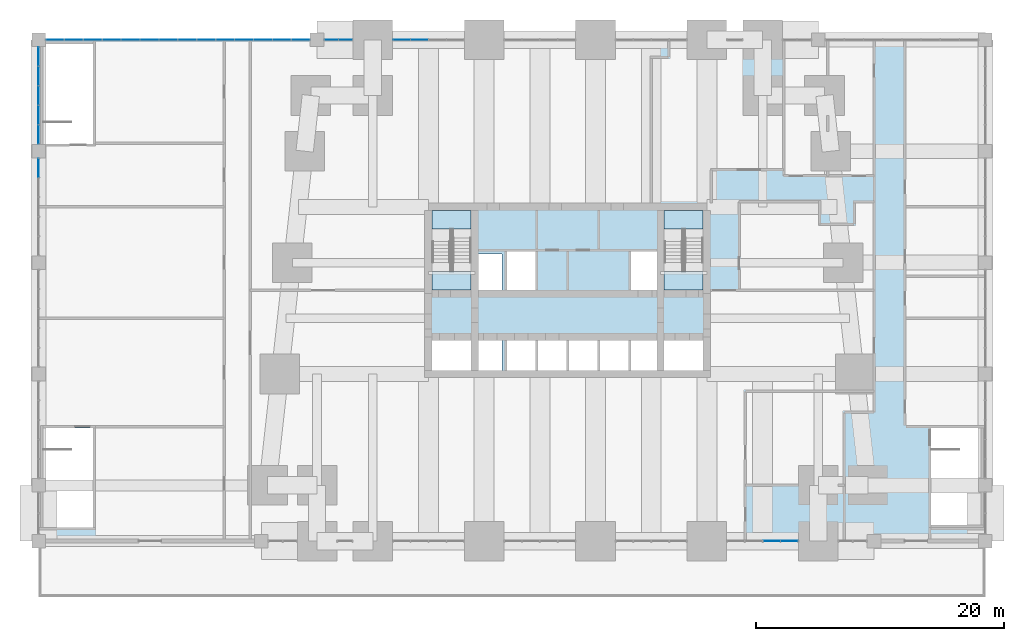
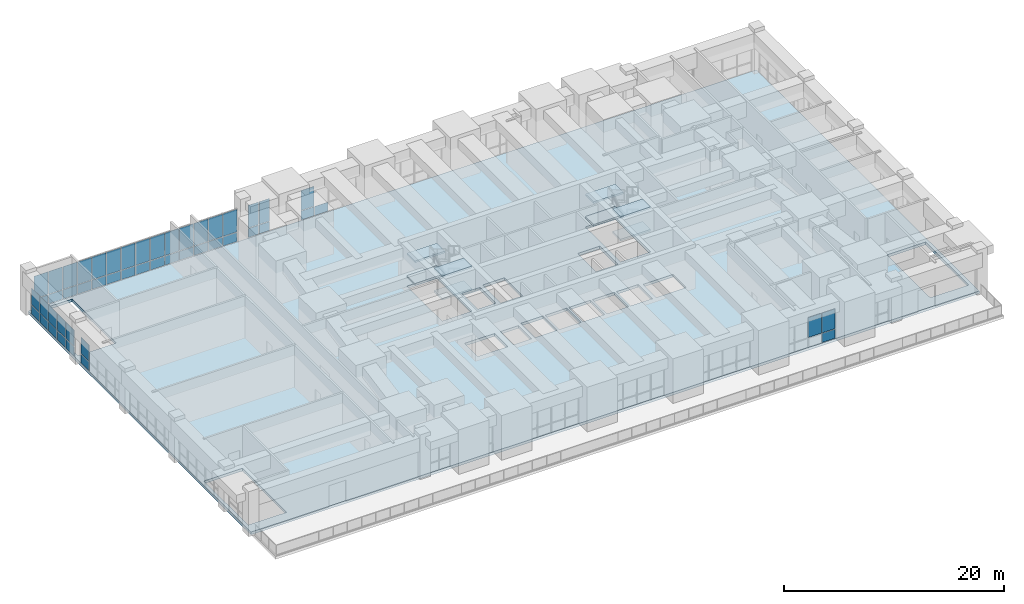
# One storey, part 15 of 22: 50 plates, 9 slabs, 8 elements without a shape of their own.
"""IFC4 building model written with IfcOpenShell, lengths in metres."""

from ifc_helpers import new_model, si_unit, direction, frame, origin, origin_2d, place, context, subcontext, project, spatial, polyline, rectangle, outline, extrude, material, layer, layer_set, type_object, element, aggregate, save


model = new_model("IFC4")

# Units and contexts
model_context = context("Model", 3, precision=1e-05, world=origin(), true_north=direction((0.0, 1.0)))
body_context = subcontext(model_context, "Body", "Model", "MODEL_VIEW")
ifc_project = project(units=[si_unit("LENGTHUNIT", "METRE"), si_unit("AREAUNIT", "SQUARE_METRE"), si_unit("VOLUMEUNIT", "CUBIC_METRE"), si_unit("PLANEANGLEUNIT", "RADIAN"), si_unit("MASSUNIT", "GRAM", prefix="KILO")], contexts=[model_context])

# Site, building, storey
site_placement = place(None, origin())
site = spatial("IfcSite", under=ifc_project, at=site_placement, CompositionType="ELEMENT")
building_placement = place(site_placement, origin())
building = spatial("IfcBuilding", under=site, at=building_placement, Name="Kilele Tower Hotel", CompositionType="ELEMENT")
storey_placement = place(building_placement, frame((0.0, 0.0, 19.0)))
storey = spatial("IfcBuildingStorey", under=building, at=storey_placement, Name="L03", CompositionType="ELEMENT", Elevation=19.0)

# Slab
ifc_material_1 = material(Name="Concrete C60/75", Category="concrete")
ifc_layer_1 = layer(ifc_material_1, 0.300048828125)
ifc_layer_set_1 = layer_set([ifc_layer_1], Name="Concrete C60/75")
slab_type_1 = type_object("IfcSlabType", Name="Floor slab 300", PredefinedType="FLOOR", material=ifc_layer_set_1)
slab_1_placement = place(storey_placement, frame((0.0, 0.0, -0.300048828125)))
element("IfcSlab", 1, at=slab_1_placement, inside=storey, type_object=slab_type_1, Name="Floor slab L03", PredefinedType="FLOOR", context=body_context, shape_type="SweptSolid", body=[
    extrude(outline(polyline([(-18.0, 0.0), (-18.0, 40.5), (58.5, 40.5), (58.5, 0.0), (-18.0, 0.0)]), holes=[polyline([(-13.60009765625, 1.10009765625), (-13.60009765625, 9.14990234375), (-17.64990234375, 9.14990234375), (-17.64990234375, 1.10009765625), (-13.60009765625, 1.10009765625)]), polyline([(16.949951171875, 13.800048828125), (16.949951171875, 16.199951171875), (13.800048828125, 16.199951171875), (13.800048828125, 13.800048828125), (16.949951171875, 13.800048828125)]), polyline([(19.449951171875, 13.800048828125), (19.449951171875, 16.199951171875), (17.550048828125, 16.199951171875), (17.550048828125, 13.800048828125), (19.449951171875, 13.800048828125)]), polyline([(22.14990234375, 13.800048828125), (22.14990234375, 16.39990234375), (19.85009765625, 16.39990234375), (19.85009765625, 13.800048828125), (22.14990234375, 13.800048828125)]), polyline([(19.449951171875, 20.300048828125), (19.449951171875, 23.199951171875), (17.550048828125, 23.199951171875), (17.550048828125, 20.300048828125), (19.449951171875, 20.300048828125)]), polyline([(22.14990234375, 20.10009765625), (22.14990234375, 23.39990234375), (19.85009765625, 23.39990234375), (19.85009765625, 20.10009765625), (22.14990234375, 20.10009765625)]), polyline([(16.949951171875, 20.300048828125), (16.949951171875, 26.699951171875), (13.800048828125, 26.699951171875), (13.800048828125, 20.300048828125), (16.949951171875, 20.300048828125)]), polyline([(-13.60009765625, 32.10009765625), (-13.60009765625, 40.14990234375), (-17.64990234375, 40.14990234375), (-17.64990234375, 32.10009765625), (-13.60009765625, 32.10009765625)]), polyline([(58.14990234375, 1.300048828125), (58.14990234375, 9.14990234375), (54.10009765625, 9.14990234375), (54.10009765625, 1.300048828125), (58.14990234375, 1.300048828125)]), polyline([(35.699951171875, 13.800048828125), (35.699951171875, 16.199951171875), (32.550048828125, 16.199951171875), (32.550048828125, 13.800048828125), (35.699951171875, 13.800048828125)]), polyline([(24.64990234375, 13.800048828125), (24.64990234375, 16.39990234375), (22.35009765625, 16.39990234375), (22.35009765625, 13.800048828125), (24.64990234375, 13.800048828125)]), polyline([(27.14990234375, 13.800048828125), (27.14990234375, 16.39990234375), (24.85009765625, 16.39990234375), (24.85009765625, 13.800048828125), (27.14990234375, 13.800048828125)]), polyline([(29.64990234375, 13.800048828125), (29.64990234375, 16.39990234375), (27.35009765625, 16.39990234375), (27.35009765625, 13.800048828125), (29.64990234375, 13.800048828125)]), polyline([(32.14990234375, 13.800048828125), (32.14990234375, 16.39990234375), (29.85009765625, 16.39990234375), (29.85009765625, 13.800048828125), (32.14990234375, 13.800048828125)]), polyline([(32.14990234375, 20.10009765625), (32.14990234375, 23.39990234375), (29.85009765625, 23.39990234375), (29.85009765625, 20.10009765625), (32.14990234375, 20.10009765625)]), polyline([(35.699951171875, 20.300048828125), (35.699951171875, 26.699951171875), (32.550048828125, 26.699951171875), (32.550048828125, 20.300048828125), (35.699951171875, 20.300048828125)])]), origin(), (0.0, 0.0, 1.0), 0.300048828125),
])

# Curtain wall, plates
ifc_material_2 = material(Name="Aluminium curtain wall, clear double glazing", Category="aluminium")
curtain_wall_type_1 = type_object("IfcCurtainWallType", Name="Podium curtain wall CW-1", PredefinedType="NOTDEFINED", material=ifc_material_2)
curtain_wall_1_placement = place(storey_placement, origin())
curtain_wall_1 = element("IfcCurtainWall", 2, at=curtain_wall_1_placement, inside=storey, type_object=curtain_wall_type_1, Name="Podium curtain wall CW-1 L03", PredefinedType="NOTDEFINED")
ifc_material_3 = material(Name="Clear double glazing", Category="glass")
ifc_layer_2 = layer(ifc_material_3, 0.028076171875)
ifc_layer_set_2 = layer_set([ifc_layer_2], Name="Clear double glazing")
plate_type_1 = type_object("IfcPlateType", Name="Glazed panel 28 CW-1", PredefinedType="CURTAIN_PANEL", material=ifc_layer_set_2)
plate_1_placement = place(storey_placement, frame((41.22509765625, 0.0, 1.130126953125), z_axis=(0.0, 0.0, 1.0), x_axis=(1.0, 0.0, 0.0)))
plate_1 = element("IfcPlate", 3, at=plate_1_placement, type_object=plate_type_1, Name="CW-1 panel 3.2", PredefinedType="CURTAIN_PANEL", context=body_context, shape_type="SweptSolid", body=[
    extrude(rectangle(XDim=1.389892578125, YDim=0.028076171875, at=origin_2d()), origin(), (0.0, 0.0, 1.0), 2.2099609375),
])
plate_2_placement = place(storey_placement, frame((42.659912109375, 0.0, 0.06005859375), z_axis=(0.0, 0.0, 1.0), x_axis=(1.0, 0.0, 0.0)))
plate_2 = element("IfcPlate", 4, at=plate_2_placement, type_object=plate_type_1, Name="CW-1 panel 4.1", PredefinedType="CURTAIN_PANEL", context=body_context, shape_type="SweptSolid", body=[
    extrude(rectangle(XDim=1.360107421875, YDim=0.028076171875, at=origin_2d()), origin(), (0.0, 0.0, 1.0), 1.010009765625),
])
plate_3_placement = place(storey_placement, frame((42.659912109375, 0.0, 1.130126953125), z_axis=(0.0, 0.0, 1.0), x_axis=(1.0, 0.0, 0.0)))
plate_3 = element("IfcPlate", 5, at=plate_3_placement, type_object=plate_type_1, Name="CW-1 panel 4.2", PredefinedType="CURTAIN_PANEL", context=body_context, shape_type="SweptSolid", body=[
    extrude(rectangle(XDim=1.360107421875, YDim=0.028076171875, at=origin_2d()), origin(), (0.0, 0.0, 1.0), 2.2099609375),
])
aggregate(curtain_wall_1, [plate_1, plate_2, plate_3])

curtain_wall_2_placement = place(storey_placement, origin())
curtain_wall_2 = element("IfcCurtainWall", 6, at=curtain_wall_2_placement, inside=storey, type_object=curtain_wall_type_1, Name="Podium curtain wall CW-1 L03", PredefinedType="NOTDEFINED")
plate_4_placement = place(storey_placement, frame((12.77490234375, 40.5, 0.06005859375), z_axis=(0.0, 0.0, 1.0), x_axis=(-1.0, 0.0, 0.0)))
plate_4 = element("IfcPlate", 7, at=plate_4_placement, type_object=plate_type_1, Name="CW-1 panel 3.1", PredefinedType="CURTAIN_PANEL", context=body_context, shape_type="SweptSolid", body=[
    extrude(rectangle(XDim=1.389892578125, YDim=0.028076171875, at=origin_2d()), origin(), (0.0, 0.0, 1.0), 1.010009765625),
])
plate_5_placement = place(storey_placement, frame((11.340087890625, 40.5, 0.06005859375), z_axis=(0.0, 0.0, 1.0), x_axis=(-1.0, 0.0, 0.0)))
plate_5 = element("IfcPlate", 8, at=plate_5_placement, type_object=plate_type_1, Name="CW-1 panel 4.1", PredefinedType="CURTAIN_PANEL", context=body_context, shape_type="SweptSolid", body=[
    extrude(rectangle(XDim=1.360107421875, YDim=0.028076171875, at=origin_2d()), origin(), (0.0, 0.0, 1.0), 1.010009765625),
])
plate_6_placement = place(storey_placement, frame((11.340087890625, 40.5, 1.130126953125), z_axis=(0.0, 0.0, 1.0), x_axis=(-1.0, 0.0, 0.0)))
plate_6 = element("IfcPlate", 9, at=plate_6_placement, type_object=plate_type_1, Name="CW-1 panel 4.2", PredefinedType="CURTAIN_PANEL", context=body_context, shape_type="SweptSolid", body=[
    extrude(rectangle(XDim=1.360107421875, YDim=0.028076171875, at=origin_2d()), origin(), (0.0, 0.0, 1.0), 2.2099609375),
])
aggregate(curtain_wall_2, [plate_4, plate_5, plate_6])

curtain_wall_3_placement = place(storey_placement, origin())
curtain_wall_3 = element("IfcCurtainWall", 10, at=curtain_wall_3_placement, inside=storey, type_object=curtain_wall_type_1, Name="Podium curtain wall CW-1 L03", PredefinedType="NOTDEFINED")
plate_7_placement = place(storey_placement, frame((6.797607421875, 40.5, 0.06005859375), z_axis=(0.0, 0.0, 1.0), x_axis=(-1.0, 0.0, 0.0)))
plate_7 = element("IfcPlate", 11, at=plate_7_placement, type_object=plate_type_1, Name="CW-1 panel 1.1", PredefinedType="CURTAIN_PANEL", context=body_context, shape_type="SweptSolid", body=[
    extrude(rectangle(XDim=1.0849609375, YDim=0.028076171875, at=origin_2d()), origin(), (0.0, 0.0, 1.0), 1.010009765625),
])
plate_8_placement = place(storey_placement, frame((6.797607421875, 40.5, 1.1298828125), z_axis=(0.0, 0.0, 1.0), x_axis=(-1.0, 0.0, 0.0)))
plate_8 = element("IfcPlate", 12, at=plate_8_placement, type_object=plate_type_1, Name="CW-1 panel 1.2", PredefinedType="CURTAIN_PANEL", context=body_context, shape_type="SweptSolid", body=[
    extrude(rectangle(XDim=1.0849609375, YDim=0.028076171875, at=origin_2d()), origin(), (0.0, 0.0, 1.0), 2.510009765625),
])
plate_9_placement = place(storey_placement, frame((5.652587890625, 40.5, 0.06005859375), z_axis=(0.0, 0.0, 1.0), x_axis=(-1.0, 0.0, 0.0)))
plate_9 = element("IfcPlate", 13, at=plate_9_placement, type_object=plate_type_1, Name="CW-1 panel 2.1", PredefinedType="CURTAIN_PANEL", context=body_context, shape_type="SweptSolid", body=[
    extrude(rectangle(XDim=1.0849609375, YDim=0.028076171875, at=origin_2d()), origin(), (0.0, 0.0, 1.0), 1.010009765625),
])
plate_10_placement = place(storey_placement, frame((5.652587890625, 40.5, 1.1298828125), z_axis=(0.0, 0.0, 1.0), x_axis=(-1.0, 0.0, 0.0)))
plate_10 = element("IfcPlate", 14, at=plate_10_placement, type_object=plate_type_1, Name="CW-1 panel 2.2", PredefinedType="CURTAIN_PANEL", context=body_context, shape_type="SweptSolid", body=[
    extrude(rectangle(XDim=1.0849609375, YDim=0.028076171875, at=origin_2d()), origin(), (0.0, 0.0, 1.0), 2.510009765625),
])
aggregate(curtain_wall_3, [plate_7, plate_8, plate_9, plate_10])

curtain_wall_4_placement = place(storey_placement, origin())
curtain_wall_4 = element("IfcCurtainWall", 15, at=curtain_wall_4_placement, inside=storey, type_object=curtain_wall_type_1, Name="Podium curtain wall CW-1 L03", PredefinedType="NOTDEFINED")
plate_11_placement = place(storey_placement, frame((3.170654296875, 40.5, 0.06005859375), z_axis=(0.0, 0.0, 1.0), x_axis=(-1.0, 0.0, 0.0)))
plate_11 = element("IfcPlate", 16, at=plate_11_placement, type_object=plate_type_1, Name="CW-1 panel 1.1", PredefinedType="CURTAIN_PANEL", context=body_context, shape_type="SweptSolid", body=[
    extrude(rectangle(XDim=1.4384765625, YDim=0.028076171875, at=origin_2d()), origin(), (0.0, 0.0, 1.0), 1.010009765625),
])
plate_12_placement = place(storey_placement, frame((3.170654296875, 40.5, 1.1298828125), z_axis=(0.0, 0.0, 1.0), x_axis=(-1.0, 0.0, 0.0)))
plate_12 = element("IfcPlate", 17, at=plate_12_placement, type_object=plate_type_1, Name="CW-1 panel 1.2", PredefinedType="CURTAIN_PANEL", context=body_context, shape_type="SweptSolid", body=[
    extrude(rectangle(XDim=1.4384765625, YDim=0.028076171875, at=origin_2d()), origin(), (0.0, 0.0, 1.0), 2.510009765625),
])
plate_13_placement = place(storey_placement, frame((1.6572265625, 40.5, 0.06005859375), z_axis=(0.0, 0.0, 1.0), x_axis=(-1.0, 0.0, 0.0)))
plate_13 = element("IfcPlate", 18, at=plate_13_placement, type_object=plate_type_1, Name="CW-1 panel 2.1", PredefinedType="CURTAIN_PANEL", context=body_context, shape_type="SweptSolid", body=[
    extrude(rectangle(XDim=1.468505859375, YDim=0.028076171875, at=origin_2d()), origin(), (0.0, 0.0, 1.0), 1.010009765625),
])
plate_14_placement = place(storey_placement, frame((1.6572265625, 40.5, 1.1298828125), z_axis=(0.0, 0.0, 1.0), x_axis=(-1.0, 0.0, 0.0)))
plate_14 = element("IfcPlate", 19, at=plate_14_placement, type_object=plate_type_1, Name="CW-1 panel 2.2", PredefinedType="CURTAIN_PANEL", context=body_context, shape_type="SweptSolid", body=[
    extrude(rectangle(XDim=1.468505859375, YDim=0.028076171875, at=origin_2d()), origin(), (0.0, 0.0, 1.0), 2.510009765625),
])
plate_15_placement = place(storey_placement, frame((0.128662109375, 40.5, 0.06005859375), z_axis=(0.0, 0.0, 1.0), x_axis=(-1.0, 0.0, 0.0)))
plate_15 = element("IfcPlate", 20, at=plate_15_placement, type_object=plate_type_1, Name="CW-1 panel 3.1", PredefinedType="CURTAIN_PANEL", context=body_context, shape_type="SweptSolid", body=[
    extrude(rectangle(XDim=1.468505859375, YDim=0.028076171875, at=origin_2d()), origin(), (0.0, 0.0, 1.0), 1.010009765625),
])
plate_16_placement = place(storey_placement, frame((0.128662109375, 40.5, 1.1298828125), z_axis=(0.0, 0.0, 1.0), x_axis=(-1.0, 0.0, 0.0)))
plate_16 = element("IfcPlate", 21, at=plate_16_placement, type_object=plate_type_1, Name="CW-1 panel 3.2", PredefinedType="CURTAIN_PANEL", context=body_context, shape_type="SweptSolid", body=[
    extrude(rectangle(XDim=1.468505859375, YDim=0.028076171875, at=origin_2d()), origin(), (0.0, 0.0, 1.0), 2.510009765625),
])
plate_17_placement = place(storey_placement, frame((-1.39990234375, 40.5, 0.06005859375), z_axis=(0.0, 0.0, 1.0), x_axis=(-1.0, 0.0, 0.0)))
plate_17 = element("IfcPlate", 22, at=plate_17_placement, type_object=plate_type_1, Name="CW-1 panel 4.1", PredefinedType="CURTAIN_PANEL", context=body_context, shape_type="SweptSolid", body=[
    extrude(rectangle(XDim=1.468505859375, YDim=0.028076171875, at=origin_2d()), origin(), (0.0, 0.0, 1.0), 1.010009765625),
])
plate_18_placement = place(storey_placement, frame((-1.39990234375, 40.5, 1.1298828125), z_axis=(0.0, 0.0, 1.0), x_axis=(-1.0, 0.0, 0.0)))
plate_18 = element("IfcPlate", 23, at=plate_18_placement, type_object=plate_type_1, Name="CW-1 panel 4.2", PredefinedType="CURTAIN_PANEL", context=body_context, shape_type="SweptSolid", body=[
    extrude(rectangle(XDim=1.468505859375, YDim=0.028076171875, at=origin_2d()), origin(), (0.0, 0.0, 1.0), 2.510009765625),
])
plate_19_placement = place(storey_placement, frame((-2.928466796875, 40.5, 0.06005859375), z_axis=(0.0, 0.0, 1.0), x_axis=(-1.0, 0.0, 0.0)))
plate_19 = element("IfcPlate", 24, at=plate_19_placement, type_object=plate_type_1, Name="CW-1 panel 5.1", PredefinedType="CURTAIN_PANEL", context=body_context, shape_type="SweptSolid", body=[
    extrude(rectangle(XDim=1.468505859375, YDim=0.028076171875, at=origin_2d()), origin(), (0.0, 0.0, 1.0), 1.010009765625),
])
plate_20_placement = place(storey_placement, frame((-2.928466796875, 40.5, 1.1298828125), z_axis=(0.0, 0.0, 1.0), x_axis=(-1.0, 0.0, 0.0)))
plate_20 = element("IfcPlate", 25, at=plate_20_placement, type_object=plate_type_1, Name="CW-1 panel 5.2", PredefinedType="CURTAIN_PANEL", context=body_context, shape_type="SweptSolid", body=[
    extrude(rectangle(XDim=1.468505859375, YDim=0.028076171875, at=origin_2d()), origin(), (0.0, 0.0, 1.0), 2.510009765625),
])
plate_21_placement = place(storey_placement, frame((-4.45703125, 40.5, 0.06005859375), z_axis=(0.0, 0.0, 1.0), x_axis=(-1.0, 0.0, 0.0)))
plate_21 = element("IfcPlate", 26, at=plate_21_placement, type_object=plate_type_1, Name="CW-1 panel 6.1", PredefinedType="CURTAIN_PANEL", context=body_context, shape_type="SweptSolid", body=[
    extrude(rectangle(XDim=1.468505859375, YDim=0.028076171875, at=origin_2d()), origin(), (0.0, 0.0, 1.0), 1.010009765625),
])
plate_22_placement = place(storey_placement, frame((-4.45703125, 40.5, 1.1298828125), z_axis=(0.0, 0.0, 1.0), x_axis=(-1.0, 0.0, 0.0)))
plate_22 = element("IfcPlate", 27, at=plate_22_placement, type_object=plate_type_1, Name="CW-1 panel 6.2", PredefinedType="CURTAIN_PANEL", context=body_context, shape_type="SweptSolid", body=[
    extrude(rectangle(XDim=1.468505859375, YDim=0.028076171875, at=origin_2d()), origin(), (0.0, 0.0, 1.0), 2.510009765625),
])
plate_23_placement = place(storey_placement, frame((-5.985595703125, 40.5, 0.06005859375), z_axis=(0.0, 0.0, 1.0), x_axis=(-1.0, 0.0, 0.0)))
plate_23 = element("IfcPlate", 28, at=plate_23_placement, type_object=plate_type_1, Name="CW-1 panel 7.1", PredefinedType="CURTAIN_PANEL", context=body_context, shape_type="SweptSolid", body=[
    extrude(rectangle(XDim=1.468505859375, YDim=0.028076171875, at=origin_2d()), origin(), (0.0, 0.0, 1.0), 1.010009765625),
])
plate_24_placement = place(storey_placement, frame((-5.985595703125, 40.5, 1.1298828125), z_axis=(0.0, 0.0, 1.0), x_axis=(-1.0, 0.0, 0.0)))
plate_24 = element("IfcPlate", 29, at=plate_24_placement, type_object=plate_type_1, Name="CW-1 panel 7.2", PredefinedType="CURTAIN_PANEL", context=body_context, shape_type="SweptSolid", body=[
    extrude(rectangle(XDim=1.468505859375, YDim=0.028076171875, at=origin_2d()), origin(), (0.0, 0.0, 1.0), 2.510009765625),
])
plate_25_placement = place(storey_placement, frame((-7.514404296875, 40.5, 0.06005859375), z_axis=(0.0, 0.0, 1.0), x_axis=(-1.0, 0.0, 0.0)))
plate_25 = element("IfcPlate", 30, at=plate_25_placement, type_object=plate_type_1, Name="CW-1 panel 8.1", PredefinedType="CURTAIN_PANEL", context=body_context, shape_type="SweptSolid", body=[
    extrude(rectangle(XDim=1.468505859375, YDim=0.028076171875, at=origin_2d()), origin(), (0.0, 0.0, 1.0), 1.010009765625),
])
plate_26_placement = place(storey_placement, frame((-7.514404296875, 40.5, 1.1298828125), z_axis=(0.0, 0.0, 1.0), x_axis=(-1.0, 0.0, 0.0)))
plate_26 = element("IfcPlate", 31, at=plate_26_placement, type_object=plate_type_1, Name="CW-1 panel 8.2", PredefinedType="CURTAIN_PANEL", context=body_context, shape_type="SweptSolid", body=[
    extrude(rectangle(XDim=1.468505859375, YDim=0.028076171875, at=origin_2d()), origin(), (0.0, 0.0, 1.0), 2.510009765625),
])
plate_27_placement = place(storey_placement, frame((-9.04296875, 40.5, 0.06005859375), z_axis=(0.0, 0.0, 1.0), x_axis=(-1.0, 0.0, 0.0)))
plate_27 = element("IfcPlate", 32, at=plate_27_placement, type_object=plate_type_1, Name="CW-1 panel 9.1", PredefinedType="CURTAIN_PANEL", context=body_context, shape_type="SweptSolid", body=[
    extrude(rectangle(XDim=1.468505859375, YDim=0.028076171875, at=origin_2d()), origin(), (0.0, 0.0, 1.0), 1.010009765625),
])
plate_28_placement = place(storey_placement, frame((-9.04296875, 40.5, 1.1298828125), z_axis=(0.0, 0.0, 1.0), x_axis=(-1.0, 0.0, 0.0)))
plate_28 = element("IfcPlate", 33, at=plate_28_placement, type_object=plate_type_1, Name="CW-1 panel 9.2", PredefinedType="CURTAIN_PANEL", context=body_context, shape_type="SweptSolid", body=[
    extrude(rectangle(XDim=1.468505859375, YDim=0.028076171875, at=origin_2d()), origin(), (0.0, 0.0, 1.0), 2.510009765625),
])
plate_29_placement = place(storey_placement, frame((-10.571533203125, 40.5, 0.06005859375), z_axis=(0.0, 0.0, 1.0), x_axis=(-1.0, 0.0, 0.0)))
plate_29 = element("IfcPlate", 34, at=plate_29_placement, type_object=plate_type_1, Name="CW-1 panel 10.1", PredefinedType="CURTAIN_PANEL", context=body_context, shape_type="SweptSolid", body=[
    extrude(rectangle(XDim=1.468505859375, YDim=0.028076171875, at=origin_2d()), origin(), (0.0, 0.0, 1.0), 1.010009765625),
])
plate_30_placement = place(storey_placement, frame((-10.571533203125, 40.5, 1.1298828125), z_axis=(0.0, 0.0, 1.0), x_axis=(-1.0, 0.0, 0.0)))
plate_30 = element("IfcPlate", 35, at=plate_30_placement, type_object=plate_type_1, Name="CW-1 panel 10.2", PredefinedType="CURTAIN_PANEL", context=body_context, shape_type="SweptSolid", body=[
    extrude(rectangle(XDim=1.468505859375, YDim=0.028076171875, at=origin_2d()), origin(), (0.0, 0.0, 1.0), 2.510009765625),
])
plate_31_placement = place(storey_placement, frame((-12.10009765625, 40.5, 0.06005859375), z_axis=(0.0, 0.0, 1.0), x_axis=(-1.0, 0.0, 0.0)))
plate_31 = element("IfcPlate", 36, at=plate_31_placement, type_object=plate_type_1, Name="CW-1 panel 11.1", PredefinedType="CURTAIN_PANEL", context=body_context, shape_type="SweptSolid", body=[
    extrude(rectangle(XDim=1.468505859375, YDim=0.028076171875, at=origin_2d()), origin(), (0.0, 0.0, 1.0), 1.010009765625),
])
plate_32_placement = place(storey_placement, frame((-12.10009765625, 40.5, 1.1298828125), z_axis=(0.0, 0.0, 1.0), x_axis=(-1.0, 0.0, 0.0)))
plate_32 = element("IfcPlate", 37, at=plate_32_placement, type_object=plate_type_1, Name="CW-1 panel 11.2", PredefinedType="CURTAIN_PANEL", context=body_context, shape_type="SweptSolid", body=[
    extrude(rectangle(XDim=1.468505859375, YDim=0.028076171875, at=origin_2d()), origin(), (0.0, 0.0, 1.0), 2.510009765625),
])
plate_33_placement = place(storey_placement, frame((-13.628662109375, 40.5, 0.06005859375), z_axis=(0.0, 0.0, 1.0), x_axis=(-1.0, 0.0, 0.0)))
plate_33 = element("IfcPlate", 38, at=plate_33_placement, type_object=plate_type_1, Name="CW-1 panel 12.1", PredefinedType="CURTAIN_PANEL", context=body_context, shape_type="SweptSolid", body=[
    extrude(rectangle(XDim=1.468505859375, YDim=0.028076171875, at=origin_2d()), origin(), (0.0, 0.0, 1.0), 1.010009765625),
])
plate_34_placement = place(storey_placement, frame((-13.628662109375, 40.5, 1.1298828125), z_axis=(0.0, 0.0, 1.0), x_axis=(-1.0, 0.0, 0.0)))
plate_34 = element("IfcPlate", 39, at=plate_34_placement, type_object=plate_type_1, Name="CW-1 panel 12.2", PredefinedType="CURTAIN_PANEL", context=body_context, shape_type="SweptSolid", body=[
    extrude(rectangle(XDim=1.468505859375, YDim=0.028076171875, at=origin_2d()), origin(), (0.0, 0.0, 1.0), 2.510009765625),
])
plate_35_placement = place(storey_placement, frame((-15.1572265625, 40.5, 0.06005859375), z_axis=(0.0, 0.0, 1.0), x_axis=(-1.0, 0.0, 0.0)))
plate_35 = element("IfcPlate", 40, at=plate_35_placement, type_object=plate_type_1, Name="CW-1 panel 13.1", PredefinedType="CURTAIN_PANEL", context=body_context, shape_type="SweptSolid", body=[
    extrude(rectangle(XDim=1.468505859375, YDim=0.028076171875, at=origin_2d()), origin(), (0.0, 0.0, 1.0), 1.010009765625),
])
plate_36_placement = place(storey_placement, frame((-15.1572265625, 40.5, 1.1298828125), z_axis=(0.0, 0.0, 1.0), x_axis=(-1.0, 0.0, 0.0)))
plate_36 = element("IfcPlate", 41, at=plate_36_placement, type_object=plate_type_1, Name="CW-1 panel 13.2", PredefinedType="CURTAIN_PANEL", context=body_context, shape_type="SweptSolid", body=[
    extrude(rectangle(XDim=1.468505859375, YDim=0.028076171875, at=origin_2d()), origin(), (0.0, 0.0, 1.0), 2.510009765625),
])
plate_37_placement = place(storey_placement, frame((-16.670654296875, 40.5, 0.06005859375), z_axis=(0.0, 0.0, 1.0), x_axis=(-1.0, 0.0, 0.0)))
plate_37 = element("IfcPlate", 42, at=plate_37_placement, type_object=plate_type_1, Name="CW-1 panel 14.1", PredefinedType="CURTAIN_PANEL", context=body_context, shape_type="SweptSolid", body=[
    extrude(rectangle(XDim=1.4384765625, YDim=0.028076171875, at=origin_2d()), origin(), (0.0, 0.0, 1.0), 1.010009765625),
])
plate_38_placement = place(storey_placement, frame((-16.670654296875, 40.5, 1.1298828125), z_axis=(0.0, 0.0, 1.0), x_axis=(-1.0, 0.0, 0.0)))
plate_38 = element("IfcPlate", 43, at=plate_38_placement, type_object=plate_type_1, Name="CW-1 panel 14.2", PredefinedType="CURTAIN_PANEL", context=body_context, shape_type="SweptSolid", body=[
    extrude(rectangle(XDim=1.4384765625, YDim=0.028076171875, at=origin_2d()), origin(), (0.0, 0.0, 1.0), 2.510009765625),
])
aggregate(curtain_wall_4, [plate_11, plate_12, plate_13, plate_14, plate_15, plate_16, plate_17, plate_18, plate_19, plate_20, plate_21, plate_22, plate_23, plate_24, plate_25, plate_26, plate_27, plate_28, plate_29, plate_30, plate_31, plate_32, plate_33, plate_34, plate_35, plate_36, plate_37, plate_38])

ifc_material_4 = material(Name="Aluminium curtain wall, clear double glazing", Category="aluminium")
curtain_wall_type_2 = type_object("IfcCurtainWallType", Name="Podium side curtain wall CW-2", PredefinedType="NOTDEFINED", material=ifc_material_4)
curtain_wall_5_placement = place(storey_placement, origin())
curtain_wall_5 = element("IfcCurtainWall", 44, at=curtain_wall_5_placement, inside=storey, type_object=curtain_wall_type_2, Name="Podium side curtain wall CW-2 L03", PredefinedType="NOTDEFINED")
ifc_material_5 = material(Name="Clear double glazing", Category="glass")
ifc_layer_3 = layer(ifc_material_5, 0.028076171875)
ifc_layer_set_3 = layer_set([ifc_layer_3], Name="Clear double glazing")
plate_type_2 = type_object("IfcPlateType", Name="Glazed panel 28 CW-2", PredefinedType="CURTAIN_PANEL", material=ifc_layer_set_3)
plate_39_placement = place(storey_placement, frame((-18.0, 39.14501953125, 0.06005859375), z_axis=(0.0, 0.0, 1.0), x_axis=(0.0, -1.0, 0.0)))
plate_39 = element("IfcPlate", 45, at=plate_39_placement, type_object=plate_type_2, Name="CW-2 panel 1.1", PredefinedType="CURTAIN_PANEL", context=body_context, shape_type="SweptSolid", body=[
    extrude(rectangle(XDim=1.489990234375, YDim=0.028076171875, at=origin_2d()), origin(), (0.0, 0.0, 1.0), 1.010009765625),
])
plate_40_placement = place(storey_placement, frame((-18.0, 39.14501953125, 1.1298828125), z_axis=(0.0, 0.0, 1.0), x_axis=(0.0, -1.0, 0.0)))
plate_40 = element("IfcPlate", 46, at=plate_40_placement, type_object=plate_type_2, Name="CW-2 panel 1.2", PredefinedType="CURTAIN_PANEL", context=body_context, shape_type="SweptSolid", body=[
    extrude(rectangle(XDim=1.489990234375, YDim=0.028076171875, at=origin_2d()), origin(), (0.0, 0.0, 1.0), 1.81005859375),
])
plate_41_placement = place(storey_placement, frame((-18.0, 37.580078125, 0.06005859375), z_axis=(0.0, 0.0, 1.0), x_axis=(0.0, -1.0, 0.0)))
plate_41 = element("IfcPlate", 47, at=plate_41_placement, type_object=plate_type_2, Name="CW-2 panel 2.1", PredefinedType="CURTAIN_PANEL", context=body_context, shape_type="SweptSolid", body=[
    extrude(rectangle(XDim=1.52001953125, YDim=0.028076171875, at=origin_2d()), origin(), (0.0, 0.0, 1.0), 1.010009765625),
])
plate_42_placement = place(storey_placement, frame((-18.0, 37.580078125, 1.1298828125), z_axis=(0.0, 0.0, 1.0), x_axis=(0.0, -1.0, 0.0)))
plate_42 = element("IfcPlate", 48, at=plate_42_placement, type_object=plate_type_2, Name="CW-2 panel 2.2", PredefinedType="CURTAIN_PANEL", context=body_context, shape_type="SweptSolid", body=[
    extrude(rectangle(XDim=1.52001953125, YDim=0.028076171875, at=origin_2d()), origin(), (0.0, 0.0, 1.0), 1.81005859375),
])
plate_43_placement = place(storey_placement, frame((-18.0, 36.0, 0.06005859375), z_axis=(0.0, 0.0, 1.0), x_axis=(0.0, -1.0, 0.0)))
plate_43 = element("IfcPlate", 49, at=plate_43_placement, type_object=plate_type_2, Name="CW-2 panel 3.1", PredefinedType="CURTAIN_PANEL", context=body_context, shape_type="SweptSolid", body=[
    extrude(rectangle(XDim=1.52001953125, YDim=0.028076171875, at=origin_2d()), origin(), (0.0, 0.0, 1.0), 1.010009765625),
])
plate_44_placement = place(storey_placement, frame((-18.0, 36.0, 1.1298828125), z_axis=(0.0, 0.0, 1.0), x_axis=(0.0, -1.0, 0.0)))
plate_44 = element("IfcPlate", 50, at=plate_44_placement, type_object=plate_type_2, Name="CW-2 panel 3.2", PredefinedType="CURTAIN_PANEL", context=body_context, shape_type="SweptSolid", body=[
    extrude(rectangle(XDim=1.52001953125, YDim=0.028076171875, at=origin_2d()), origin(), (0.0, 0.0, 1.0), 1.81005859375),
])
plate_45_placement = place(storey_placement, frame((-18.0, 34.419921875, 0.06005859375), z_axis=(0.0, 0.0, 1.0), x_axis=(0.0, -1.0, 0.0)))
plate_45 = element("IfcPlate", 51, at=plate_45_placement, type_object=plate_type_2, Name="CW-2 panel 4.1", PredefinedType="CURTAIN_PANEL", context=body_context, shape_type="SweptSolid", body=[
    extrude(rectangle(XDim=1.52001953125, YDim=0.028076171875, at=origin_2d()), origin(), (0.0, 0.0, 1.0), 1.010009765625),
])
plate_46_placement = place(storey_placement, frame((-18.0, 34.419921875, 1.1298828125), z_axis=(0.0, 0.0, 1.0), x_axis=(0.0, -1.0, 0.0)))
plate_46 = element("IfcPlate", 52, at=plate_46_placement, type_object=plate_type_2, Name="CW-2 panel 4.2", PredefinedType="CURTAIN_PANEL", context=body_context, shape_type="SweptSolid", body=[
    extrude(rectangle(XDim=1.52001953125, YDim=0.028076171875, at=origin_2d()), origin(), (0.0, 0.0, 1.0), 1.81005859375),
])
plate_47_placement = place(storey_placement, frame((-18.0, 32.85498046875, 0.06005859375), z_axis=(0.0, 0.0, 1.0), x_axis=(0.0, -1.0, 0.0)))
plate_47 = element("IfcPlate", 53, at=plate_47_placement, type_object=plate_type_2, Name="CW-2 panel 5.1", PredefinedType="CURTAIN_PANEL", context=body_context, shape_type="SweptSolid", body=[
    extrude(rectangle(XDim=1.489990234375, YDim=0.028076171875, at=origin_2d()), origin(), (0.0, 0.0, 1.0), 1.010009765625),
])
plate_48_placement = place(storey_placement, frame((-18.0, 32.85498046875, 1.1298828125), z_axis=(0.0, 0.0, 1.0), x_axis=(0.0, -1.0, 0.0)))
plate_48 = element("IfcPlate", 54, at=plate_48_placement, type_object=plate_type_2, Name="CW-2 panel 5.2", PredefinedType="CURTAIN_PANEL", context=body_context, shape_type="SweptSolid", body=[
    extrude(rectangle(XDim=1.489990234375, YDim=0.028076171875, at=origin_2d()), origin(), (0.0, 0.0, 1.0), 1.81005859375),
])
aggregate(curtain_wall_5, [plate_39, plate_40, plate_41, plate_42, plate_43, plate_44, plate_45, plate_46, plate_47, plate_48])

curtain_wall_6_placement = place(storey_placement, origin())
curtain_wall_6 = element("IfcCurtainWall", 55, at=curtain_wall_6_placement, inside=storey, type_object=curtain_wall_type_2, Name="Podium side curtain wall CW-2 L03", PredefinedType="NOTDEFINED")
plate_49_placement = place(storey_placement, frame((-18.0, 30.14501953125, 0.06005859375), z_axis=(0.0, 0.0, 1.0), x_axis=(0.0, -1.0, 0.0)))
plate_49 = element("IfcPlate", 56, at=plate_49_placement, type_object=plate_type_2, Name="CW-2 panel 1.1", PredefinedType="CURTAIN_PANEL", context=body_context, shape_type="SweptSolid", body=[
    extrude(rectangle(XDim=1.489990234375, YDim=0.028076171875, at=origin_2d()), origin(), (0.0, 0.0, 1.0), 1.010009765625),
])
plate_50_placement = place(storey_placement, frame((-18.0, 30.14501953125, 1.1298828125), z_axis=(0.0, 0.0, 1.0), x_axis=(0.0, -1.0, 0.0)))
plate_50 = element("IfcPlate", 57, at=plate_50_placement, type_object=plate_type_2, Name="CW-2 panel 1.2", PredefinedType="CURTAIN_PANEL", context=body_context, shape_type="SweptSolid", body=[
    extrude(rectangle(XDim=1.489990234375, YDim=0.028076171875, at=origin_2d()), origin(), (0.0, 0.0, 1.0), 1.81005859375),
])
aggregate(curtain_wall_6, [plate_49, plate_50])

# Stair, slabs
ifc_material_6 = material(Name="Precast concrete C40/50", Category="concrete")
stair_type = type_object("IfcStairType", Name="Stair 1475 x 5000", PredefinedType="HALF_TURN_STAIR", material=ifc_material_6)
stair_1_placement = place(storey_placement, origin())
stair_1 = element("IfcStair", 58, at=stair_1_placement, inside=storey, type_object=stair_type, Name="Stair 1 L03", PredefinedType="HALF_TURN_STAIR")
ifc_material_7 = material(Name="Precast concrete C40/50", Category="concrete")
ifc_layer_4 = layer(ifc_material_7, 0.199951171875)
ifc_layer_set_4 = layer_set([ifc_layer_4], Name="Precast concrete C40/50")
slab_type_2 = type_object("IfcSlabType", Name="Stair landing 200", PredefinedType="LANDING", material=ifc_layer_set_4)
slab_2_placement = place(storey_placement, frame((0.0, 0.0, 0.966796875)))
slab_2 = element("IfcSlab", 59, at=slab_2_placement, type_object=slab_type_2, Name="ST1 landing 1", PredefinedType="LANDING", context=body_context, shape_type="SweptSolid", body=[
    extrude(outline(polyline([(13.800048828125, 25.22509765625), (16.949951171875, 25.22509765625), (16.949951171875, 26.699951171875), (13.800048828125, 26.699951171875), (13.800048828125, 25.22509765625)])), origin(), (0.0, 0.0, 1.0), 0.199951171875),
])
slab_3_placement = place(storey_placement, frame((0.0, 0.0, 2.300048828125)))
slab_3 = element("IfcSlab", 60, at=slab_3_placement, type_object=slab_type_2, Name="ST1 landing 2", PredefinedType="LANDING", context=body_context, shape_type="SweptSolid", body=[
    extrude(outline(polyline([(13.800048828125, 20.300048828125), (16.949951171875, 20.300048828125), (16.949951171875, 21.77490234375), (13.800048828125, 21.77490234375), (13.800048828125, 20.300048828125)])), origin(), (0.0, 0.0, 1.0), 0.199951171875),
])
slab_4_placement = place(storey_placement, frame((0.0, 0.0, 3.466796875)))
slab_4 = element("IfcSlab", 61, at=slab_4_placement, type_object=slab_type_2, Name="ST1 landing 3", PredefinedType="LANDING", context=body_context, shape_type="SweptSolid", body=[
    extrude(outline(polyline([(13.800048828125, 25.22509765625), (16.949951171875, 25.22509765625), (16.949951171875, 26.699951171875), (13.800048828125, 26.699951171875), (13.800048828125, 25.22509765625)])), origin(), (0.0, 0.0, 1.0), 0.199951171875),
])
slab_5_placement = place(storey_placement, frame((0.0, 0.0, 4.800048828125)))
slab_5 = element("IfcSlab", 62, at=slab_5_placement, type_object=slab_type_2, Name="ST1 landing 4", PredefinedType="LANDING", context=body_context, shape_type="SweptSolid", body=[
    extrude(outline(polyline([(13.800048828125, 20.300048828125), (16.949951171875, 20.300048828125), (16.949951171875, 21.77490234375), (13.800048828125, 21.77490234375), (13.800048828125, 20.300048828125)])), origin(), (0.0, 0.0, 1.0), 0.199951171875),
])
aggregate(stair_1, [slab_2, slab_3, slab_4, slab_5])

stair_2_placement = place(storey_placement, origin())
stair_2 = element("IfcStair", 63, at=stair_2_placement, inside=storey, type_object=stair_type, Name="Stair 2 L03", PredefinedType="HALF_TURN_STAIR")
slab_6_placement = place(storey_placement, frame((0.0, 0.0, 0.966796875)))
slab_6 = element("IfcSlab", 64, at=slab_6_placement, type_object=slab_type_2, Name="ST2 landing 1", PredefinedType="LANDING", context=body_context, shape_type="SweptSolid", body=[
    extrude(outline(polyline([(32.550048828125, 25.22509765625), (35.699951171875, 25.22509765625), (35.699951171875, 26.699951171875), (32.550048828125, 26.699951171875), (32.550048828125, 25.22509765625)])), origin(), (0.0, 0.0, 1.0), 0.199951171875),
])
slab_7_placement = place(storey_placement, frame((0.0, 0.0, 2.300048828125)))
slab_7 = element("IfcSlab", 65, at=slab_7_placement, type_object=slab_type_2, Name="ST2 landing 2", PredefinedType="LANDING", context=body_context, shape_type="SweptSolid", body=[
    extrude(outline(polyline([(32.550048828125, 20.300048828125), (35.699951171875, 20.300048828125), (35.699951171875, 21.77490234375), (32.550048828125, 21.77490234375), (32.550048828125, 20.300048828125)])), origin(), (0.0, 0.0, 1.0), 0.199951171875),
])
slab_8_placement = place(storey_placement, frame((0.0, 0.0, 3.466796875)))
slab_8 = element("IfcSlab", 66, at=slab_8_placement, type_object=slab_type_2, Name="ST2 landing 3", PredefinedType="LANDING", context=body_context, shape_type="SweptSolid", body=[
    extrude(outline(polyline([(32.550048828125, 25.22509765625), (35.699951171875, 25.22509765625), (35.699951171875, 26.699951171875), (32.550048828125, 26.699951171875), (32.550048828125, 25.22509765625)])), origin(), (0.0, 0.0, 1.0), 0.199951171875),
])
slab_9_placement = place(storey_placement, frame((0.0, 0.0, 4.800048828125)))
slab_9 = element("IfcSlab", 67, at=slab_9_placement, type_object=slab_type_2, Name="ST2 landing 4", PredefinedType="LANDING", context=body_context, shape_type="SweptSolid", body=[
    extrude(outline(polyline([(32.550048828125, 20.300048828125), (35.699951171875, 20.300048828125), (35.699951171875, 21.77490234375), (32.550048828125, 21.77490234375), (32.550048828125, 20.300048828125)])), origin(), (0.0, 0.0, 1.0), 0.199951171875),
])
aggregate(stair_2, [slab_6, slab_7, slab_8, slab_9])

save(model, "model.ifc")
